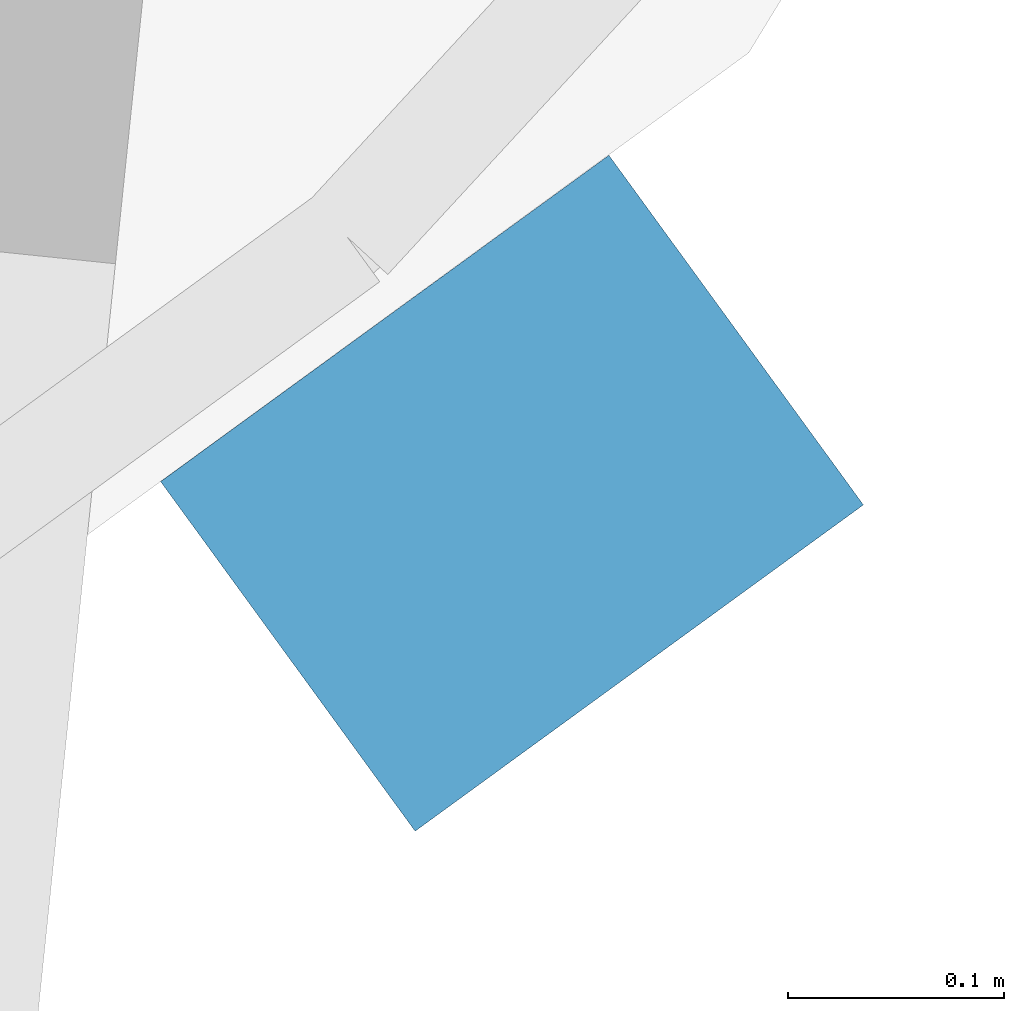
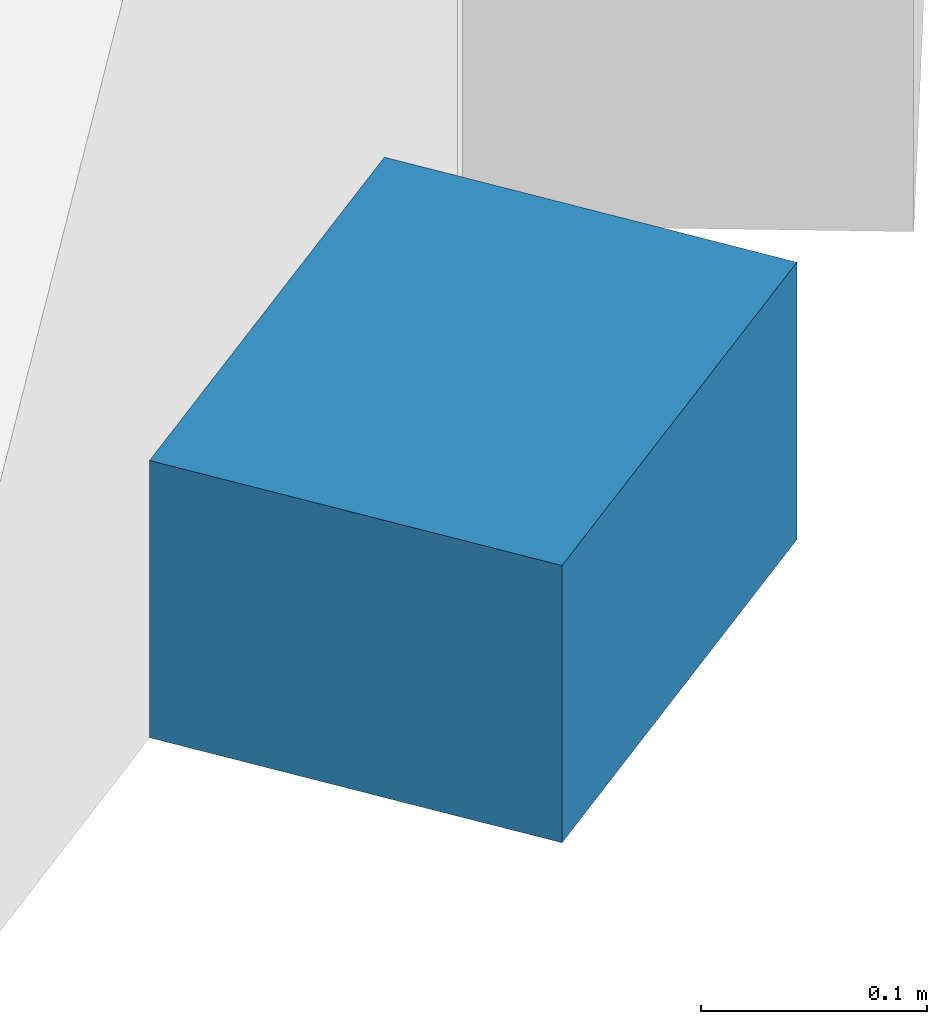
# One storey, part 15 of 31: 1 member, 1 element without a shape of its own.
"""IFC4 building model written with IfcOpenShell, lengths in metres."""

from ifc_helpers import new_model, si_unit, direction, frame, origin, origin_2d, place, context, subcontext, project, spatial, rectangle, extrude, material, material_profile, profile_set, type_object, element, aggregate, save


model = new_model("IFC4")

# Units and contexts
model_context = context("Model", 3, precision=1e-05, world=origin(), true_north=direction((0.0, 1.0)))
body_context = subcontext(model_context, "Body", "Model", "MODEL_VIEW")
ifc_project = project(units=[si_unit("LENGTHUNIT", "METRE"), si_unit("AREAUNIT", "SQUARE_METRE"), si_unit("VOLUMEUNIT", "CUBIC_METRE"), si_unit("PLANEANGLEUNIT", "RADIAN"), si_unit("MASSUNIT", "GRAM", prefix="KILO")], contexts=[model_context])

# Site, building, storey
site_placement = place(None, origin())
site = spatial("IfcSite", under=ifc_project, at=site_placement, CompositionType="ELEMENT")
building_placement = place(site_placement, origin())
building = spatial("IfcBuilding", under=site, at=building_placement, Name="Orlundy Tower", CompositionType="ELEMENT")
storey_placement = place(building_placement, frame((0.0, 0.0, 271.0)))
storey = spatial("IfcBuildingStorey", under=building, at=storey_placement, Name="L72", CompositionType="ELEMENT", Elevation=271.0)

# Curtain wall, member
ifc_material_1 = material(Name="Aluminium bronze anodised", Category="aluminium")
curtain_wall_type = type_object("IfcCurtainWallType", Name="CW4 wall", PredefinedType="NOTDEFINED", material=ifc_material_1)
curtain_wall_placement = place(storey_placement, origin())
curtain_wall = element("IfcCurtainWall", 1, at=curtain_wall_placement, inside=storey, type_object=curtain_wall_type, Name="CW4 run 028", PredefinedType="NOTDEFINED")
ifc_material_2 = material(Name="Aluminium bronze anodised", Category="aluminium")
ifc_material_profile = material_profile(ifc_material_2, rectangle(XDim=0.199951171875, YDim=0.14990234375, at=origin_2d()), Name="CW4 transom 200x150")
ifc_profile_set = profile_set([ifc_material_profile], Name="Aluminium bronze anodised")
member_type = type_object("IfcMemberType", Name="CW4 transom 200x150", PredefinedType="USERDEFINED", material=ifc_profile_set)
member_placement = place(storey_placement, frame((38.615234375, -3.49609375, -0.375), z_axis=(-0.808488933909, -0.588511379453, 0.0), x_axis=(0.588511379453, -0.808488933909, 0.0)))
member = element("IfcMember", 2, at=member_placement, type_object=member_type, Name="CW4 transom", ObjectType="TRANSOM", PredefinedType="USERDEFINED", context=body_context, shape_type="SweptSolid", body=[
    extrude(rectangle(XDim=0.199951171875, YDim=0.14990234375, at=origin_2d()), origin(), (0.0, 0.0, 1.0), 0.25634765625),
])
aggregate(curtain_wall, [member])

save(model, "model.ifc")
